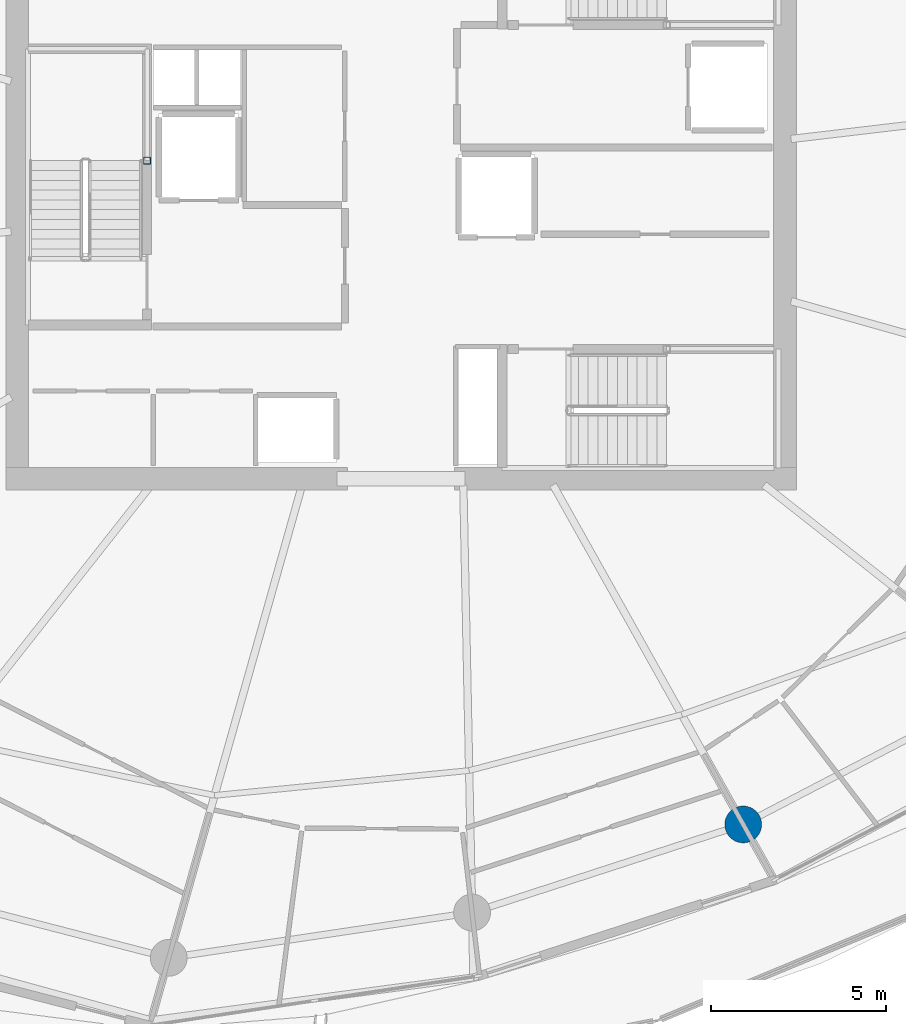
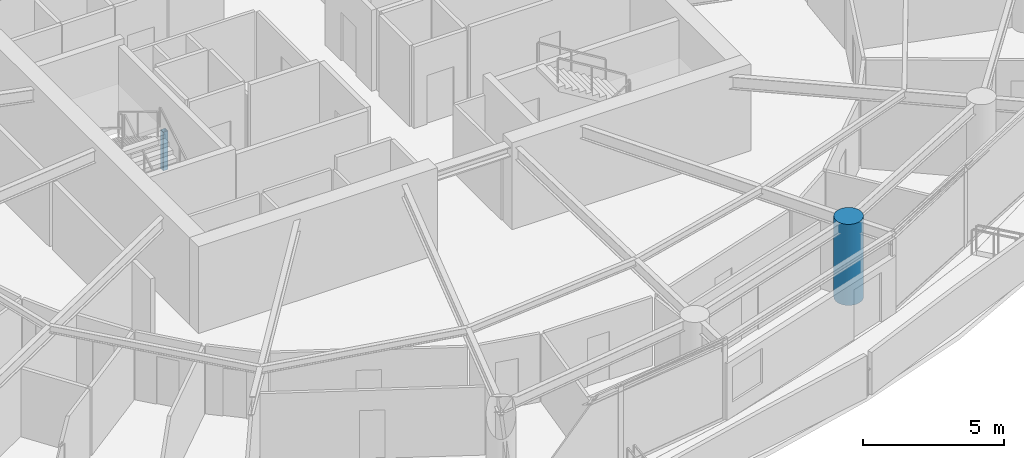
# One storey, part 2 of 21: 2 columns.
"""IFC4 building model written with IfcOpenShell, lengths in metres."""

import ifcopenshell
import ifcopenshell.guid

model = None  # the IFC model being written
_history = None  # IfcOwnerHistory: only IFC2X3 demands one
_inside = {}  # id of a spatial element -> (the spatial element, [elements in it])
_under = {}  # id of a project, library or spatial element -> (it, [spatial elements below it])
_declared = {}  # id of a project -> (the project, [libraries it declares])
_typed = {}  # id of a type object -> (the type object, [elements of that type])
_made_of = {}  # id of a material, layer set ... -> (it, [elements and type objects made of it])


def new_model(schema):
    """Start an empty IFC model of exactly this schema.

    Asked for "IFC4X3", IfcOpenShell would pick the latest addendum, in which some entities
    have other attributes; the version numbers below select the first issue.
    IFC2X3 requires an IfcOwnerHistory on every rooted entity: one is made here for all.
    """
    global model, _history
    if schema == "IFC4X3":
        model = ifcopenshell.file(schema_version=(4, 3, 0, 0))
    else:
        model = ifcopenshell.file(schema=schema)
    _inside.clear()
    _under.clear()
    _declared.clear()
    _typed.clear()
    _made_of.clear()
    _history = None
    if model.schema == "IFC2X3":
        org = make("IfcOrganization", Name="unknown")
        user = make(
            "IfcPersonAndOrganization",
            ThePerson=make("IfcPerson", FamilyName="unknown"),
            TheOrganization=org,
        )
        app = make(
            "IfcApplication",
            ApplicationDeveloper=org,
            Version="unknown",
            ApplicationFullName="unknown",
            ApplicationIdentifier="unknown",
        )
        _history = make(
            "IfcOwnerHistory",
            OwningUser=user,
            OwningApplication=app,
            ChangeAction="ADDED",
            CreationDate=0,
        )
    return model


def make(cls, **values):
    """One entity of the class cls with the attributes given. An attribute that is None is left unset."""
    return model.create_entity(
        cls, **{name: value for name, value in values.items() if value is not None}
    )


def rooted(cls, **values):
    """An entity with a GlobalId (a new one), such as an element, a storey or a relation."""
    return make(cls, GlobalId=ifcopenshell.guid.new(), OwnerHistory=_history, **values)


def si_unit(unit_type, name, prefix=None):
    """IfcSIUnit, for example si_unit("LENGTHUNIT", "METRE", prefix="MILLI")."""
    return make("IfcSIUnit", UnitType=unit_type, Prefix=prefix, Name=name)


def assignment(units):
    """IfcUnitAssignment: the units of a project."""
    return None if units is None else make("IfcUnitAssignment", Units=units)


def point(xyz):
    """IfcCartesianPoint."""
    return None if xyz is None else make("IfcCartesianPoint", Coordinates=xyz)


def direction(xyz):
    """IfcDirection."""
    return None if xyz is None else make("IfcDirection", DirectionRatios=xyz)


def frame(location, z_axis=None, x_axis=None):
    """IfcAxis2Placement3D, a coordinate frame: its origin and axes. An axis left out is left unset."""
    return make(
        "IfcAxis2Placement3D",
        Location=point(location),
        Axis=direction(z_axis),
        RefDirection=direction(x_axis),
    )


def frame_2d(location, x_axis=None):
    """IfcAxis2Placement2D, a coordinate frame in the plane: its origin and x axis."""
    return make(
        "IfcAxis2Placement2D", Location=point(location), RefDirection=direction(x_axis)
    )


def origin():
    """The frame at (0, 0, 0) with its axes left unset."""
    return frame((0.0, 0.0, 0.0))


def origin_2d():
    """The frame at (0, 0) in the plane with its x axis left unset."""
    return frame_2d((0.0, 0.0))


def place(relative_to, where):
    """IfcLocalPlacement: puts the frame where relative to a parent placement (None: the world)."""
    return make(
        "IfcLocalPlacement", PlacementRelTo=relative_to, RelativePlacement=where
    )


def context(
    kind, dimensions, precision=None, world=None, true_north=None, identifier=None
):
    """IfcGeometricRepresentationContext, for example the 3D "Model" context."""
    return make(
        "IfcGeometricRepresentationContext",
        ContextIdentifier=identifier,
        ContextType=kind,
        CoordinateSpaceDimension=dimensions,
        Precision=precision,
        WorldCoordinateSystem=world,
        TrueNorth=true_north,
    )


def subcontext(parent, identifier, kind, view, scale=None):
    """IfcGeometricRepresentationSubContext, for example "Body" below "Model"."""
    return make(
        "IfcGeometricRepresentationSubContext",
        ContextIdentifier=identifier,
        ContextType=kind,
        ParentContext=parent,
        TargetScale=scale,
        TargetView=view,
    )


def project(units=None, contexts=None):
    """IfcProject with its units and contexts."""
    return rooted(
        "IfcProject",
        Name="project",
        RepresentationContexts=contexts,
        UnitsInContext=assignment(units),
    )


def spatial(cls, under=None, at=None, **own):
    """A site, building, storey or space (cls), placed at a placement, below another one or the project."""
    s = rooted(cls, ObjectPlacement=at, **own)
    if under is not None:
        _under.setdefault(under.id(), (under, []))[1].append(s)
    return s


def profile(cls, at=None, kind="AREA", **sizes):
    """A parametric profile (cls). Its sizes go by their IFC names, for example OverallWidth=200.0."""
    return make(cls, ProfileType=kind, Position=at, **sizes)


def hollow_rectangle(**sizes):
    """IfcRectangleHollowProfileDef."""
    return profile("IfcRectangleHollowProfileDef", **sizes)


def circle(**sizes):
    """IfcCircleProfileDef."""
    return profile("IfcCircleProfileDef", **sizes)


def extrude(swept, where, along, depth):
    """IfcExtrudedAreaSolid: the profile swept, set in the frame where, extruded along a direction by depth."""
    return make(
        "IfcExtrudedAreaSolid",
        SweptArea=swept,
        Position=where,
        ExtrudedDirection=direction(along),
        Depth=depth,
    )


def shape(context_of_items, identifier, shape_type, items):
    """IfcShapeRepresentation: the items that make up one representation, for example the "Body"."""
    return make(
        "IfcShapeRepresentation",
        ContextOfItems=context_of_items,
        RepresentationIdentifier=identifier,
        RepresentationType=shape_type,
        Items=items,
    )


def material(Name=None, Category=None):
    """IfcMaterial."""
    return make("IfcMaterial", Name=Name, Category=Category)


def material_profile(
    of_material, cross_section, Name=None, Category=None, Priority=None
):
    """IfcMaterialProfile: a cross section and its material."""
    return make(
        "IfcMaterialProfile",
        Name=Name,
        Material=of_material,
        Profile=cross_section,
        Priority=Priority,
        Category=Category,
    )


def profile_set(profiles, Name=None, composite=None):
    """IfcMaterialProfileSet."""
    return make(
        "IfcMaterialProfileSet",
        Name=Name,
        MaterialProfiles=profiles,
        CompositeProfile=composite,
    )


def made_of(thing, what):
    """Note that an element or type object is made of a material, layer set ...; save() writes the relation."""
    if what is not None:
        _made_of.setdefault(what.id(), (what, []))[1].append(thing)
    return thing


def type_object(cls, material=None, **own):
    """A type object (cls), such as IfcWallType, which elements share."""
    return made_of(rooted(cls, **own), material)


def element(
    cls,
    number,
    at=None,
    inside=None,
    cuts=None,
    type_object=None,
    material=None,
    context=None,
    identifier="Body",
    shape_type=None,
    held_by="IfcProductDefinitionShape",
    body=None,
    shapes=None,
    **own,
):
    """One element of the class cls, such as IfcWall. Its Tag is "e" and its number.

    at: its placement. inside: the storey or other place that contains it. cuts: it is an
    opening in that element (IfcRelVoidsElement). A single representation is given by context,
    identifier, shape_type and body (its items); several are given by shapes. held_by: the class
    of the entity that holds the representations. save() writes the other relations.
    """
    e = rooted(cls, Tag="e%d" % number, ObjectPlacement=at, **own)
    if body is not None:
        shapes = [shape(context, identifier, shape_type, body)]
    if shapes is not None:
        e.Representation = make(held_by, Representations=shapes)
    if inside is not None:
        _inside.setdefault(inside.id(), (inside, []))[1].append(e)
    if cuts is not None:
        rooted(
            "IfcRelVoidsElement", RelatingBuildingElement=cuts, RelatedOpeningElement=e
        )
    if type_object is not None:
        _typed.setdefault(type_object.id(), (type_object, []))[1].append(e)
    return made_of(e, material)


def aggregate(whole, parts):
    """IfcRelAggregates: a whole, such as a stair, and the parts it consists of."""
    return rooted("IfcRelAggregates", RelatingObject=whole, RelatedObjects=parts)


def save(model, path):
    """Write the relations noted so far, then the file.

    IfcRelAggregates (storeys below a building ...), IfcRelContainedInSpatialStructure (elements
    in a storey), IfcRelDefinesByType, IfcRelAssociatesMaterial and IfcRelDeclares: one each for
    every whole, place, type object, material and project.
    """
    for whole, parts in _under.values():
        aggregate(whole, parts)
    for where, things in _inside.values():
        rooted(
            "IfcRelContainedInSpatialStructure",
            RelatedElements=things,
            RelatingStructure=where,
        )
    for kind, things in _typed.values():
        rooted("IfcRelDefinesByType", RelatedObjects=things, RelatingType=kind)
    for what, things in _made_of.values():
        rooted("IfcRelAssociatesMaterial", RelatedObjects=things, RelatingMaterial=what)
    for by, libraries in _declared.values():
        rooted("IfcRelDeclares", RelatingContext=by, RelatedDefinitions=libraries)
    model.write(path)


model = new_model("IFC4")

# Units and contexts
model_context = context("Model", 3, precision=1e-05, world=origin(), true_north=direction((0.0, 1.0)))
body_context = subcontext(model_context, "Body", "Model", "MODEL_VIEW")
ifc_project = project(units=[si_unit("LENGTHUNIT", "METRE"), si_unit("AREAUNIT", "SQUARE_METRE"), si_unit("VOLUMEUNIT", "CUBIC_METRE"), si_unit("PLANEANGLEUNIT", "RADIAN"), si_unit("MASSUNIT", "GRAM", prefix="KILO")], contexts=[model_context])

# Site, building, storey
site_placement = place(None, origin())
site = spatial("IfcSite", under=ifc_project, at=site_placement, CompositionType="ELEMENT")
building_placement = place(site_placement, origin())
building = spatial("IfcBuilding", under=site, at=building_placement, Name="Kazma Halo Residences", CompositionType="ELEMENT")
storey_placement = place(building_placement, frame((0.0, 0.0, 195.300048828125)))
storey = spatial("IfcBuildingStorey", under=building, at=storey_placement, Name="L49", CompositionType="ELEMENT", Elevation=195.300048828125)

# Columns
ifc_material_1 = material(Name="Steel S355", Category="steel")
ifc_material_profile_1 = material_profile(ifc_material_1, hollow_rectangle(XDim=0.199951171875, YDim=0.199951171875, WallThickness=0.010009765625, InnerFilletRadius=0.010009765625, OuterFilletRadius=0.02001953125, at=origin_2d()), Name="SHS200x200x10")
ifc_profile_set_1 = profile_set([ifc_material_profile_1], Name="Steel S355")
column_type_1 = type_object("IfcColumnType", Name="COL-LP-SHS200", PredefinedType="COLUMN", material=ifc_profile_set_1)
column_1_placement = place(storey_placement, frame((41.179931640625, 42.75, 0.0), z_axis=(0.0, 0.0, 1.0), x_axis=(1.0, 0.0, 0.0)))
element("IfcColumn", 1, at=column_1_placement, inside=storey, type_object=column_type_1, Name="L49 ST-01 landing pilaster 1", PredefinedType="COLUMN", context=body_context, shape_type="SweptSolid", body=[
    extrude(hollow_rectangle(XDim=0.199951171875, YDim=0.199951171875, WallThickness=0.010009765625, InnerFilletRadius=0.010009765625, OuterFilletRadius=0.02001953125, at=origin_2d()), origin(), (0.0, 0.0, 1.0), 1.669921875),
])
ifc_material_2 = material(Name="Concrete C80/95", Category="concrete")
ifc_material_profile_2 = material_profile(ifc_material_2, circle(Radius=0.52490234375, at=origin_2d()), Name="CIRC1050")
ifc_profile_set_2 = profile_set([ifc_material_profile_2], Name="Concrete C80/95")
column_type_2 = type_object("IfcColumnType", Name="COL-PERIM-1050", PredefinedType="COLUMN", material=ifc_profile_set_2)
column_2_placement = place(storey_placement, frame((58.184814453125, 23.813720703125, 0.0), z_axis=(0.0, 0.0, 1.0), x_axis=(1.0, 0.0, 0.0)))
element("IfcColumn", 2, at=column_2_placement, inside=storey, type_object=column_type_2, Name="L49 perimeter ring column P13", PredefinedType="COLUMN", context=body_context, shape_type="SweptSolid", body=[
    extrude(circle(Radius=0.52490234375, at=origin_2d()), origin(), (0.0, 0.0, 1.0), 3.5),
])

save(model, "model.ifc")
